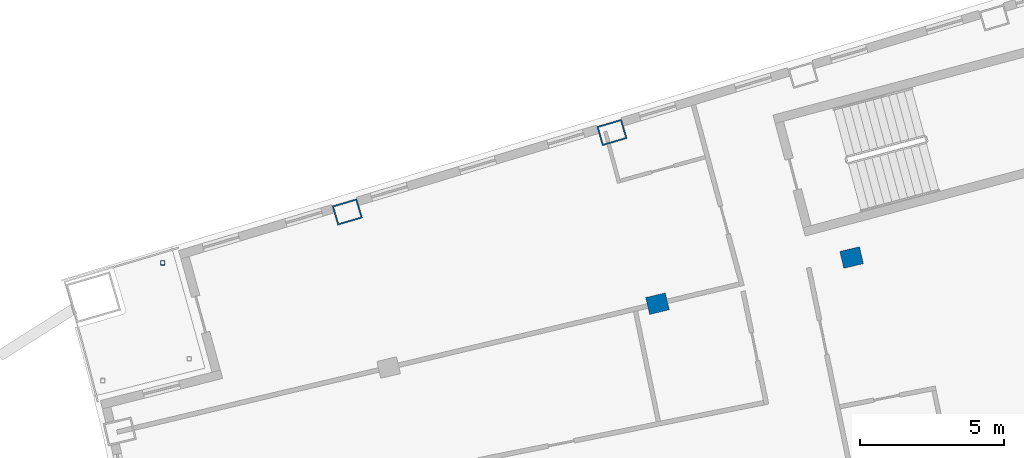
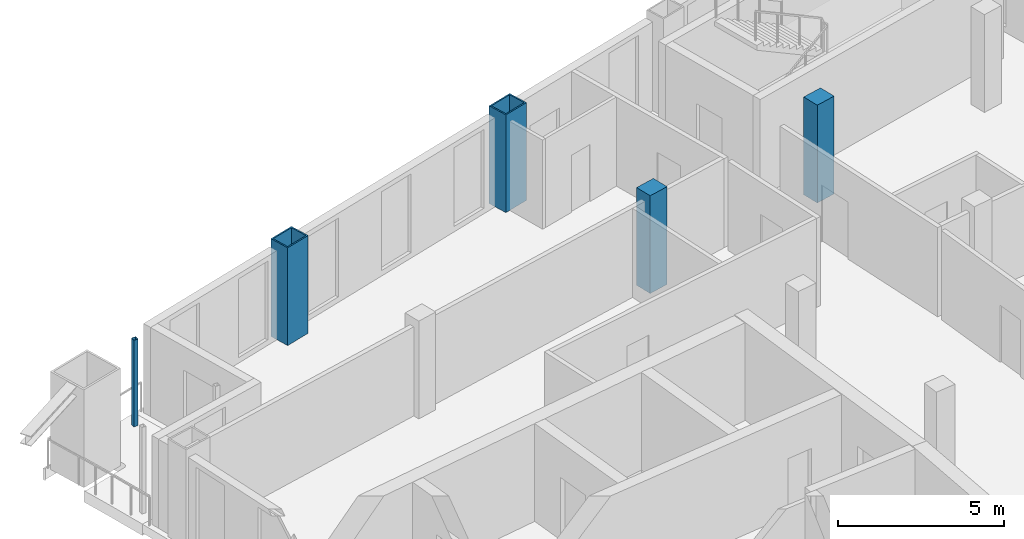
# One storey, part 5 of 17: 5 columns.
"""IFC4 building model written with IfcOpenShell, lengths in metres."""

from ifc_helpers import new_model, si_unit, direction, frame, origin, origin_2d, place, context, subcontext, project, spatial, rectangle, hollow_rectangle, extrude, material, material_profile, profile_set, type_object, element, save


model = new_model("IFC4")

# Units and contexts
model_context = context("Model", 3, precision=1e-05, world=origin(), true_north=direction((0.0, 1.0)))
body_context = subcontext(model_context, "Body", "Model", "MODEL_VIEW")
ifc_project = project(units=[si_unit("LENGTHUNIT", "METRE"), si_unit("AREAUNIT", "SQUARE_METRE"), si_unit("VOLUMEUNIT", "CUBIC_METRE"), si_unit("PLANEANGLEUNIT", "RADIAN"), si_unit("MASSUNIT", "GRAM", prefix="KILO")], contexts=[model_context])

# Site, building, storey
site_placement = place(None, origin())
site = spatial("IfcSite", under=ifc_project, at=site_placement, CompositionType="ELEMENT")
building_placement = place(site_placement, origin())
building = spatial("IfcBuilding", under=site, at=building_placement, Name="Alderwake Tower", CompositionType="ELEMENT")
storey_placement = place(building_placement, frame((0.0, 0.0, 260.0)))
storey = spatial("IfcBuildingStorey", under=building, at=storey_placement, Name="L64", CompositionType="ELEMENT", Elevation=260.0)

# Columns
ifc_material_1 = material(Name="Steel ASTM A572 Grade 50 concrete filled C70/85", Category="concrete")
ifc_material_profile_1 = material_profile(ifc_material_1, hollow_rectangle(XDim=0.699951171875, YDim=0.89990234375, WallThickness=0.050048828125, at=origin_2d()), Name="BOX 900X700X50")
ifc_profile_set_1 = profile_set([ifc_material_profile_1], Name="Steel ASTM A572 Grade 50 concrete filled C70/85")
column_type_1 = type_object("IfcColumnType", Name="End column Z5", PredefinedType="COLUMN", material=ifc_profile_set_1)
for number, where, z_axis, x_axis, name in (
    (1, (21.885498046875, 90.96240234375, 0.0), (0.0, 0.0, 1.0), (-0.282132160283, 0.95937554906, 0.0), "Column R12-C1"),
    (2, (31.080322265625, 93.72314453125, 0.0), (0.0, 0.0, 1.0), (-0.282582549822, 0.959242984095, 0.0), "Column R12-C2"),
):
    element("IfcColumn", number, at=place(storey_placement, frame(where, z_axis=z_axis, x_axis=x_axis)), inside=storey, type_object=column_type_1, Name=name, PredefinedType="COLUMN", context=body_context, shape_type="SweptSolid", body=[
        extrude(hollow_rectangle(XDim=0.699951171875, YDim=0.89990234375, WallThickness=0.050048828125, at=origin_2d()), origin(), (0.0, 0.0, 1.0), 3.60009765625),
    ])
ifc_material_2 = material(Name="Concrete C70/85", Category="concrete")
ifc_material_profile_2 = material_profile(ifc_material_2, rectangle(XDim=0.60009765625, YDim=0.699951171875, at=origin_2d()), Name="RC 700X600")
ifc_profile_set_2 = profile_set([ifc_material_profile_2], Name="Concrete C70/85")
column_type_2 = type_object("IfcColumnType", Name="Interior column Z5", PredefinedType="COLUMN", material=ifc_profile_set_2)
for number, where, z_axis, x_axis, name in (
    (3, (32.661865234375, 87.775390625, 0.0), (0.0, 0.0, 1.0), (-0.231221547198, 0.972901123502, 0.0), "Column R11-C2"),
    (4, (39.407470703125, 89.378662109375, 0.0), (0.0, 0.0, 1.0), (-0.231221547198, 0.972901123502, 0.0), "Column R11-C3"),
):
    element("IfcColumn", number, at=place(storey_placement, frame(where, z_axis=z_axis, x_axis=x_axis)), inside=storey, type_object=column_type_2, Name=name, PredefinedType="COLUMN", context=body_context, shape_type="SweptSolid", body=[
        extrude(rectangle(XDim=0.60009765625, YDim=0.699951171875, at=origin_2d()), origin(), (0.0, 0.0, 1.0), 3.60009765625),
    ])
ifc_material_3 = material(Name="Steel ASTM A500 Grade C", Category="steel")
ifc_material_profile_3 = material_profile(ifc_material_3, hollow_rectangle(XDim=0.15234375, YDim=0.15234375, WallThickness=0.0087890625, at=origin_2d()), Name="HSS6X6X3/8")
ifc_profile_set_3 = profile_set([ifc_material_profile_3], Name="Steel ASTM A500 Grade C")
column_type_3 = type_object("IfcColumnType", Name="Light post HSS6X6X3/8", PredefinedType="COLUMN", material=ifc_profile_set_3)
column_placement = place(storey_placement, frame((15.47412109375, 89.194091796875, 0.0), z_axis=(0.0, 0.0, 1.0), x_axis=(1.0, 0.0, 0.0)))
element("IfcColumn", 5, at=column_placement, inside=storey, type_object=column_type_3, Name="Terrace post RN2", PredefinedType="COLUMN", context=body_context, shape_type="SweptSolid", body=[
    extrude(hollow_rectangle(XDim=0.15234375, YDim=0.15234375, WallThickness=0.0087890625, at=origin_2d()), origin(), (0.0, 0.0, 1.0), 3.179931640625),
])

save(model, "model.ifc")
